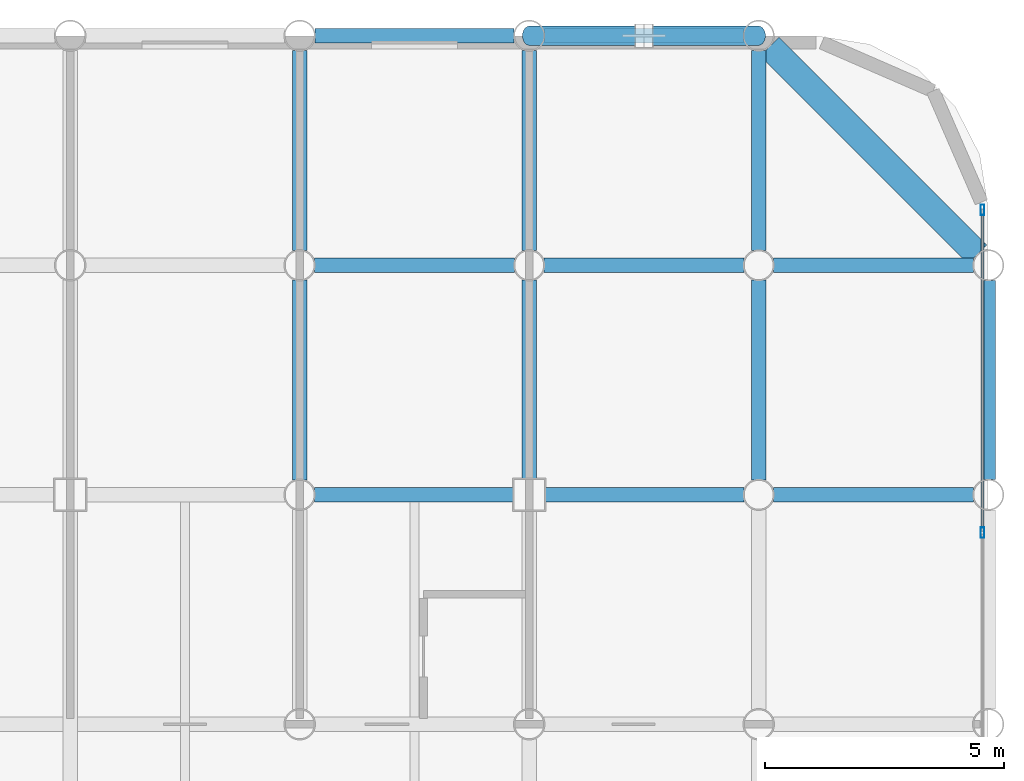
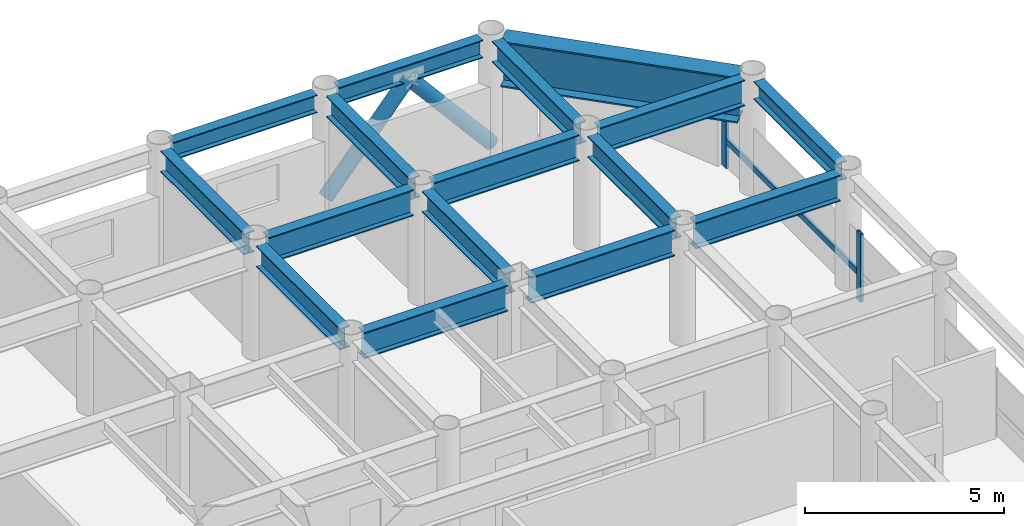
# One storey, part 15 of 22: 16 beams, 5 members, 1 element without a shape of its own.
"""IFC4 building model written with IfcOpenShell, lengths in metres."""

from ifc_helpers import new_model, si_unit, direction, frame, origin, origin_2d, place, context, subcontext, project, spatial, hollow_rectangle, hollow_circle, i_section, extrude, material, layer, layer_set, material_profile, profile_set, type_object, element, aggregate, save


model = new_model("IFC4")

# Units and contexts
model_context = context("Model", 3, precision=1e-05, world=origin(), true_north=direction((0.0, 1.0)))
body_context = subcontext(model_context, "Body", "Model", "MODEL_VIEW")
ifc_project = project(units=[si_unit("LENGTHUNIT", "METRE"), si_unit("AREAUNIT", "SQUARE_METRE"), si_unit("VOLUMEUNIT", "CUBIC_METRE"), si_unit("PLANEANGLEUNIT", "RADIAN"), si_unit("MASSUNIT", "GRAM", prefix="KILO")], contexts=[model_context])

# Site, building, storey
site_placement = place(None, origin())
site = spatial("IfcSite", under=ifc_project, at=site_placement, CompositionType="ELEMENT")
building_placement = place(site_placement, origin())
building = spatial("IfcBuilding", under=site, at=building_placement, Name="Kallvorn Hotel Tower", CompositionType="ELEMENT")
storey_placement = place(building_placement, frame((0.0, 0.0, 110.0)))
storey = spatial("IfcBuildingStorey", under=building, at=storey_placement, Name="L26", CompositionType="ELEMENT", Elevation=110.0)

# Beams
ifc_material_1 = material(Name="Structural steel S355JR", Category="steel")
ifc_material_profile_1 = material_profile(ifc_material_1, i_section(OverallWidth=0.300048828125, OverallDepth=0.550048828125, WebThickness=0.014892578125, FlangeThickness=0.029052734375, at=origin_2d()), Name="HE 550 B")
ifc_profile_set_1 = profile_set([ifc_material_profile_1], Name="Structural steel S355JR")
beam_type_1 = type_object("IfcBeamType", Name="BM_HE550B", PredefinedType="SPANDREL", material=ifc_profile_set_1)
for number, where, z_axis, x_axis, name in (
    (1, (19.52001953125, 24.0, 3.2451171875), (1.0, 0.0, 0.0), (0.0, 1.0, 0.0), "L27 Perimeter Spandrel 172"),
    (2, (24.320068359375, 24.0, 3.2451171875), (1.0, 0.0, 0.0), (0.0, 1.0, 0.0), "L27 Perimeter Spandrel 173"),
    (3, (33.60009765625, 14.719970703125, 3.2451171875), (0.0, 1.0, 0.0), (-1.0, 0.0, 0.0), "L27 Perimeter Spandrel 188"),
):
    element("IfcBeam", number, at=place(storey_placement, frame(where, z_axis=z_axis, x_axis=x_axis)), inside=storey, type_object=beam_type_1, Name=name, PredefinedType="SPANDREL", context=body_context, shape_type="SweptSolid", body=[
        extrude(i_section(OverallWidth=0.300048828125, OverallDepth=0.550048828125, WebThickness=0.014892578125, FlangeThickness=0.029052734375, at=origin_2d()), origin(), (0.0, 0.0, 1.0), 4.159912109375),
    ])
ifc_material_2 = material(Name="Structural steel S355JR", Category="steel")
ifc_material_profile_2 = material_profile(ifc_material_2, i_section(OverallWidth=0.300048828125, OverallDepth=0.64990234375, WebThickness=0.01611328125, FlangeThickness=0.031005859375, at=origin_2d()), Name="HE 650 B")
ifc_profile_set_2 = profile_set([ifc_material_profile_2], Name="Structural steel S355JR")
beam_type_2 = type_object("IfcBeamType", Name="BM_HE650B", PredefinedType="BEAM", material=ifc_profile_set_2)
beam_1_placement = place(storey_placement, frame((19.199951171875, 14.705078125, 3.195068359375), z_axis=(0.0, 1.0, 0.0), x_axis=(-1.0, 0.0, 0.0)))
element("IfcBeam", 4, at=beam_1_placement, inside=storey, type_object=beam_type_2, Name="L27 Primary Y-Girder 133", PredefinedType="BEAM", context=body_context, shape_type="SweptSolid", body=[
    extrude(i_section(OverallWidth=0.300048828125, OverallDepth=0.64990234375, WebThickness=0.01611328125, FlangeThickness=0.031005859375, at=origin_2d()), origin(), (0.0, 0.0, 1.0), 4.18994140625),
])
beam_2_placement = place(storey_placement, frame((19.199951171875, 19.5048828125, 3.195068359375), z_axis=(0.0, 1.0, 0.0), x_axis=(-1.0, 0.0, 0.0)))
element("IfcBeam", 5, at=beam_2_placement, inside=storey, type_object=beam_type_2, Name="L27 Primary Y-Girder 134", PredefinedType="BEAM", context=body_context, shape_type="SweptSolid", body=[
    extrude(i_section(OverallWidth=0.300048828125, OverallDepth=0.64990234375, WebThickness=0.01611328125, FlangeThickness=0.031005859375, at=origin_2d()), origin(), (0.0, 0.0, 1.0), 4.190185546875),
])
beam_3_placement = place(storey_placement, frame((24.0, 14.72509765625, 3.195068359375), z_axis=(0.0, 1.0, 0.0), x_axis=(-1.0, 0.0, 0.0)))
element("IfcBeam", 6, at=beam_3_placement, inside=storey, type_object=beam_type_2, Name="L27 Primary Y-Girder 140", PredefinedType="BEAM", context=body_context, shape_type="SweptSolid", body=[
    extrude(i_section(OverallWidth=0.300048828125, OverallDepth=0.64990234375, WebThickness=0.01611328125, FlangeThickness=0.031005859375, at=origin_2d()), origin(), (0.0, 0.0, 1.0), 4.169921875),
])
beam_4_placement = place(storey_placement, frame((24.0, 19.5048828125, 3.195068359375), z_axis=(0.0, 1.0, 0.0), x_axis=(-1.0, 0.0, 0.0)))
element("IfcBeam", 7, at=beam_4_placement, inside=storey, type_object=beam_type_2, Name="L27 Primary Y-Girder 141", PredefinedType="BEAM", context=body_context, shape_type="SweptSolid", body=[
    extrude(i_section(OverallWidth=0.300048828125, OverallDepth=0.64990234375, WebThickness=0.01611328125, FlangeThickness=0.031005859375, at=origin_2d()), origin(), (0.0, 0.0, 1.0), 4.190185546875),
])
beam_5_placement = place(storey_placement, frame((28.800048828125, 14.705078125, 3.195068359375), z_axis=(0.0, 1.0, 0.0), x_axis=(-1.0, 0.0, 0.0)))
element("IfcBeam", 8, at=beam_5_placement, inside=storey, type_object=beam_type_2, Name="L27 Primary Y-Girder 149", PredefinedType="BEAM", context=body_context, shape_type="SweptSolid", body=[
    extrude(i_section(OverallWidth=0.300048828125, OverallDepth=0.64990234375, WebThickness=0.01611328125, FlangeThickness=0.031005859375, at=origin_2d()), origin(), (0.0, 0.0, 1.0), 4.18994140625),
])
beam_6_placement = place(storey_placement, frame((28.800048828125, 19.5048828125, 3.195068359375), z_axis=(0.0, 1.0, 0.0), x_axis=(-1.0, 0.0, 0.0)))
element("IfcBeam", 9, at=beam_6_placement, inside=storey, type_object=beam_type_2, Name="L27 Primary Y-Girder 150", PredefinedType="BEAM", context=body_context, shape_type="SweptSolid", body=[
    extrude(i_section(OverallWidth=0.300048828125, OverallDepth=0.64990234375, WebThickness=0.01611328125, FlangeThickness=0.031005859375, at=origin_2d()), origin(), (0.0, 0.0, 1.0), 4.190185546875),
])
ifc_material_3 = material(Name="Structural steel S355JR", Category="steel")
ifc_material_profile_3 = material_profile(ifc_material_3, i_section(OverallWidth=0.300048828125, OverallDepth=0.800048828125, WebThickness=0.017578125, FlangeThickness=0.032958984375, at=origin_2d()), Name="HE 800 B")
ifc_profile_set_3 = profile_set([ifc_material_profile_3], Name="Structural steel S355JR")
beam_type_3 = type_object("IfcBeamType", Name="BM_HE800B", PredefinedType="BEAM", material=ifc_profile_set_3)
for number, where, z_axis, x_axis, name in (
    (10, (19.5048828125, 14.39990234375, 3.1201171875), (1.0, 0.0, 0.0), (0.0, 1.0, 0.0), "L27 Primary X-Girder 57"),
    (11, (24.324951171875, 14.39990234375, 3.1201171875), (1.0, 0.0, 0.0), (0.0, 1.0, 0.0), "L27 Primary X-Girder 58"),
):
    element("IfcBeam", number, at=place(storey_placement, frame(where, z_axis=z_axis, x_axis=x_axis)), inside=storey, type_object=beam_type_3, Name=name, PredefinedType="BEAM", context=body_context, shape_type="SweptSolid", body=[
        extrude(i_section(OverallWidth=0.300048828125, OverallDepth=0.800048828125, WebThickness=0.017578125, FlangeThickness=0.032958984375, at=origin_2d()), origin(), (0.0, 0.0, 1.0), 4.170166015625),
    ])
beam_7_placement = place(storey_placement, frame((29.10498046875, 14.39990234375, 3.1201171875), z_axis=(1.0, 0.0, 0.0), x_axis=(0.0, 1.0, 0.0)))
element("IfcBeam", 12, at=beam_7_placement, inside=storey, type_object=beam_type_3, Name="L27 Primary X-Girder 59", PredefinedType="BEAM", context=body_context, shape_type="SweptSolid", body=[
    extrude(i_section(OverallWidth=0.300048828125, OverallDepth=0.800048828125, WebThickness=0.017578125, FlangeThickness=0.032958984375, at=origin_2d()), origin(), (0.0, 0.0, 1.0), 4.18994140625),
])
for number, where, z_axis, x_axis, name in (
    (13, (19.5048828125, 19.199951171875, 3.1201171875), (1.0, 0.0, 0.0), (0.0, 1.0, 0.0), "L27 Primary X-Girder 70"),
    (14, (24.304931640625, 19.199951171875, 3.1201171875), (1.0, 0.0, 0.0), (0.0, 1.0, 0.0), "L27 Primary X-Girder 71"),
):
    element("IfcBeam", number, at=place(storey_placement, frame(where, z_axis=z_axis, x_axis=x_axis)), inside=storey, type_object=beam_type_3, Name=name, PredefinedType="BEAM", context=body_context, shape_type="SweptSolid", body=[
        extrude(i_section(OverallWidth=0.300048828125, OverallDepth=0.800048828125, WebThickness=0.017578125, FlangeThickness=0.032958984375, at=origin_2d()), origin(), (0.0, 0.0, 1.0), 4.190185546875),
    ])
beam_8_placement = place(storey_placement, frame((29.10498046875, 19.199951171875, 3.1201171875), z_axis=(1.0, 0.0, 0.0), x_axis=(0.0, 1.0, 0.0)))
element("IfcBeam", 15, at=beam_8_placement, inside=storey, type_object=beam_type_3, Name="L27 Primary X-Girder 72", PredefinedType="BEAM", context=body_context, shape_type="SweptSolid", body=[
    extrude(i_section(OverallWidth=0.300048828125, OverallDepth=0.800048828125, WebThickness=0.017578125, FlangeThickness=0.032958984375, at=origin_2d()), origin(), (0.0, 0.0, 1.0), 4.18994140625),
])
ifc_material_4 = material(Name="Structural steel S355JR", Category="steel")
ifc_material_profile_4 = material_profile(ifc_material_4, i_section(OverallWidth=0.550048828125, OverallDepth=1.39990234375, WebThickness=0.02490234375, FlangeThickness=0.044921875, at=origin_2d()), Name="PG 1400x550x25x45")
ifc_profile_set_4 = profile_set([ifc_material_profile_4], Name="Structural steel S355JR")
beam_type_4 = type_object("IfcBeamType", Name="BM_PG_1400", PredefinedType="BEAM", material=ifc_profile_set_4)
beam_9_placement = place(storey_placement, frame((33.373779296875, 19.42626953125, 2.820068359375), z_axis=(-0.707106781187, 0.707106781187, 0.0), x_axis=(-0.707106781187, -0.707106781187, 0.0)))
element("IfcBeam", 16, at=beam_9_placement, inside=storey, type_object=beam_type_4, Name="L27 Rounded Corner Tie Beam 191", PredefinedType="BEAM", context=body_context, shape_type="SweptSolid", body=[
    extrude(i_section(OverallWidth=0.550048828125, OverallDepth=1.39990234375, WebThickness=0.02490234375, FlangeThickness=0.044921875, at=origin_2d()), origin(), (0.0, 0.0, 1.0), 6.148193359375),
])

# Curtain wall, members
ifc_material_5 = material(Name="Thermally broken black-anodised aluminium AA 6063-T6", Category="aluminium")
ifc_layer = layer(ifc_material_5, 0.199951171875)
ifc_layer_set = layer_set([ifc_layer], Name="CW_SYS_3_HOTEL_LOW")
curtain_wall_type = type_object("IfcCurtainWallType", Name="CW_SYS_3_HOTEL_LOW", PredefinedType="USERDEFINED", material=ifc_layer_set)
curtain_wall_placement = place(storey_placement, origin())
curtain_wall = element("IfcCurtainWall", 17, at=curtain_wall_placement, inside=storey, type_object=curtain_wall_type, Name="L26 Dark-Glass Curtain Wall CW-L26-EN", ObjectType="UNITISED CURTAIN WALL", PredefinedType="USERDEFINED")
ifc_material_6 = material(Name="Thermally broken black-anodised aluminium AA 6063-T6", Category="aluminium")
ifc_material_profile_5 = material_profile(ifc_material_6, hollow_rectangle(XDim=0.080078125, YDim=0.219970703125, WallThickness=0.0048828125, at=origin_2d()), Name="MUL 220x80")
ifc_profile_set_5 = profile_set([ifc_material_profile_5], Name="Thermally broken black-anodised aluminium AA 6063-T6")
member_type_1 = type_object("IfcMemberType", Name="CW_MULLION_220x80", PredefinedType="MULLION", material=ifc_profile_set_5)
member_1_placement = place(storey_placement, frame((33.47998046875, 13.606689453125, 0.02001953125), z_axis=(0.0, 0.0, 1.0), x_axis=(1.0, 0.0, 0.0)))
member_1 = element("IfcMember", 18, at=member_1_placement, type_object=member_type_1, Name="CW-L26-EN Mullion 02", PredefinedType="MULLION", context=body_context, shape_type="SweptSolid", body=[
    extrude(hollow_rectangle(XDim=0.080078125, YDim=0.219970703125, WallThickness=0.0048828125, at=origin_2d()), origin(), (0.0, 0.0, 1.0), 2.080078125),
])
member_2_placement = place(storey_placement, frame((33.47998046875, 20.360107421875, 0.02001953125), z_axis=(0.0, 0.0, 1.0), x_axis=(1.0, 0.0, 0.0)))
member_2 = element("IfcMember", 19, at=member_2_placement, type_object=member_type_1, Name="CW-L26-EN Mullion 03", PredefinedType="MULLION", context=body_context, shape_type="SweptSolid", body=[
    extrude(hollow_rectangle(XDim=0.080078125, YDim=0.219970703125, WallThickness=0.0048828125, at=origin_2d()), origin(), (0.0, 0.0, 1.0), 2.080078125),
])
ifc_material_7 = material(Name="Thermally broken black-anodised aluminium AA 6063-T6", Category="aluminium")
ifc_material_profile_6 = material_profile(ifc_material_7, hollow_rectangle(XDim=0.070068359375, YDim=0.179931640625, WallThickness=0.00390625, at=origin_2d()), Name="TRN 180x70")
ifc_profile_set_6 = profile_set([ifc_material_profile_6], Name="Thermally broken black-anodised aluminium AA 6063-T6")
member_type_2 = type_object("IfcMemberType", Name="CW_TRANSOM_180x70", PredefinedType="USERDEFINED", material=ifc_profile_set_6)
member_3_placement = place(storey_placement, frame((33.47998046875, 13.646728515625, 0.85009765625), z_axis=(0.0, 1.0, 0.0), x_axis=(-1.0, 0.0, 0.0)))
member_3 = element("IfcMember", 20, at=member_3_placement, type_object=member_type_2, Name="CW-L26-EN Transom 02M", ObjectType="TRANSOM", PredefinedType="USERDEFINED", context=body_context, shape_type="SweptSolid", body=[
    extrude(hollow_rectangle(XDim=0.070068359375, YDim=0.179931640625, WallThickness=0.00390625, at=origin_2d()), origin(), (0.0, 0.0, 1.0), 6.71337890625),
])
aggregate(curtain_wall, [member_1, member_2, member_3])

# Members
ifc_material_8 = material(Name="Structural steel S355J2H", Category="steel")
ifc_material_profile_7 = material_profile(ifc_material_8, hollow_circle(Radius=0.203125, WallThickness=0.01611328125, at=origin_2d()), Name="CHS 406.4x16")
ifc_profile_set_7 = profile_set([ifc_material_profile_7], Name="Structural steel S355J2H")
member_type_3 = type_object("IfcMemberType", Name="MBR_EXO_CHS406", PredefinedType="BRACE", material=ifc_profile_set_7)
for number, where, z_axis, x_axis, name in (
    (21, (24.012939453125, 24.0, 0.1953125), (0.646833296797, 0.0, 0.762631422218), (0.0, 1.0, 0.0), "L26 Exoskeleton K-Brace N2A"),
    (22, (28.787109375, 24.0, 0.1953125), (-0.646833296797, 0.0, 0.762631422218), (0.0, -1.0, 0.0), "L26 Exoskeleton K-Brace N2B"),
):
    element("IfcMember", number, at=place(storey_placement, frame(where, z_axis=z_axis, x_axis=x_axis)), inside=storey, type_object=member_type_3, Name=name, PredefinedType="BRACE", context=body_context, shape_type="SweptSolid", body=[
        extrude(hollow_circle(Radius=0.203125, WallThickness=0.01611328125, at=origin_2d()), origin(), (0.0, 0.0, 1.0), 3.670654296875),
    ])

save(model, "model.ifc")
